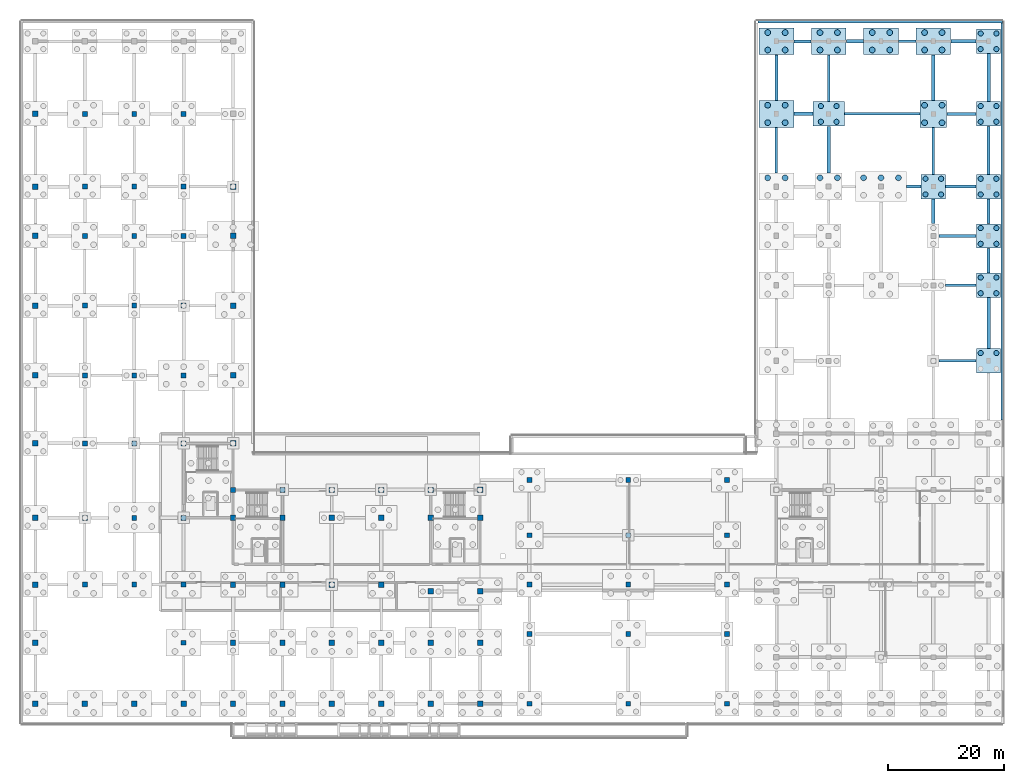
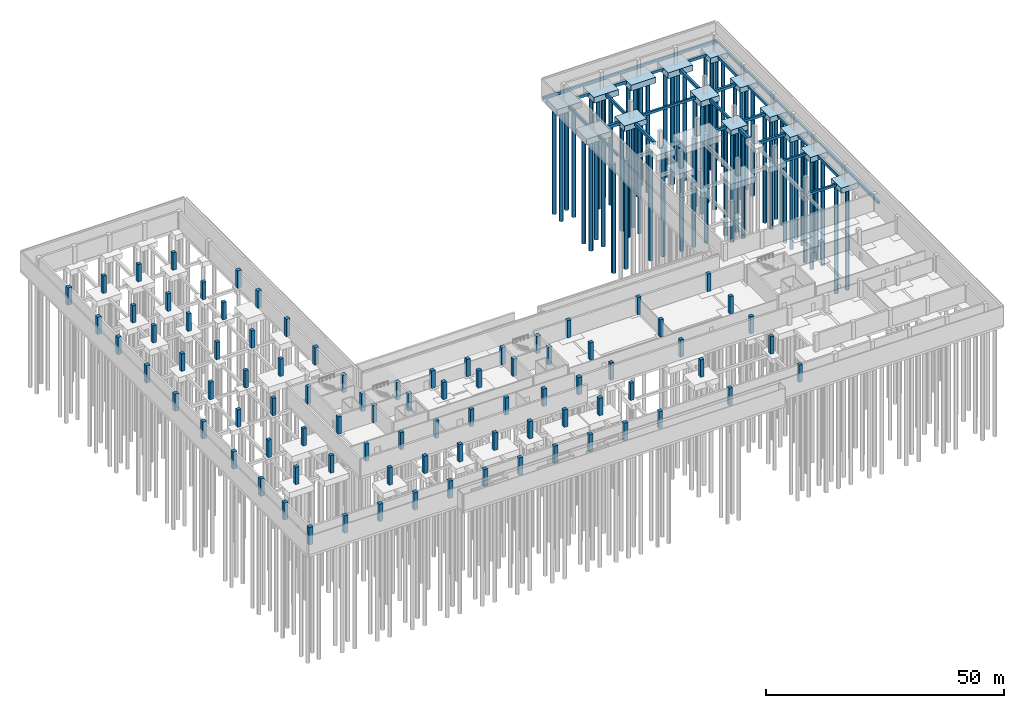
# One storey, part 7 of 25: 88 columns, 61 piles, 40 footings.
"""IFC4 building model written with IfcOpenShell, lengths in metres."""

import ifcopenshell
import ifcopenshell.guid

model = None  # the IFC model being written
_history = None  # IfcOwnerHistory: only IFC2X3 demands one
_inside = {}  # id of a spatial element -> (the spatial element, [elements in it])
_under = {}  # id of a project, library or spatial element -> (it, [spatial elements below it])
_declared = {}  # id of a project -> (the project, [libraries it declares])
_typed = {}  # id of a type object -> (the type object, [elements of that type])
_made_of = {}  # id of a material, layer set ... -> (it, [elements and type objects made of it])


def new_model(schema):
    """Start an empty IFC model of exactly this schema.

    Asked for "IFC4X3", IfcOpenShell would pick the latest addendum, in which some entities
    have other attributes; the version numbers below select the first issue.
    IFC2X3 requires an IfcOwnerHistory on every rooted entity: one is made here for all.
    """
    global model, _history
    if schema == "IFC4X3":
        model = ifcopenshell.file(schema_version=(4, 3, 0, 0))
    else:
        model = ifcopenshell.file(schema=schema)
    _inside.clear()
    _under.clear()
    _declared.clear()
    _typed.clear()
    _made_of.clear()
    _history = None
    if model.schema == "IFC2X3":
        org = make("IfcOrganization", Name="unknown")
        user = make(
            "IfcPersonAndOrganization",
            ThePerson=make("IfcPerson", FamilyName="unknown"),
            TheOrganization=org,
        )
        app = make(
            "IfcApplication",
            ApplicationDeveloper=org,
            Version="unknown",
            ApplicationFullName="unknown",
            ApplicationIdentifier="unknown",
        )
        _history = make(
            "IfcOwnerHistory",
            OwningUser=user,
            OwningApplication=app,
            ChangeAction="ADDED",
            CreationDate=0,
        )
    return model


def make(cls, **values):
    """One entity of the class cls with the attributes given. An attribute that is None is left unset."""
    return model.create_entity(
        cls, **{name: value for name, value in values.items() if value is not None}
    )


def rooted(cls, **values):
    """An entity with a GlobalId (a new one), such as an element, a storey or a relation."""
    return make(cls, GlobalId=ifcopenshell.guid.new(), OwnerHistory=_history, **values)


def si_unit(unit_type, name, prefix=None):
    """IfcSIUnit, for example si_unit("LENGTHUNIT", "METRE", prefix="MILLI")."""
    return make("IfcSIUnit", UnitType=unit_type, Prefix=prefix, Name=name)


def assignment(units):
    """IfcUnitAssignment: the units of a project."""
    return None if units is None else make("IfcUnitAssignment", Units=units)


def point(xyz):
    """IfcCartesianPoint."""
    return None if xyz is None else make("IfcCartesianPoint", Coordinates=xyz)


def direction(xyz):
    """IfcDirection."""
    return None if xyz is None else make("IfcDirection", DirectionRatios=xyz)


def frame(location, z_axis=None, x_axis=None):
    """IfcAxis2Placement3D, a coordinate frame: its origin and axes. An axis left out is left unset."""
    return make(
        "IfcAxis2Placement3D",
        Location=point(location),
        Axis=direction(z_axis),
        RefDirection=direction(x_axis),
    )


def frame_2d(location, x_axis=None):
    """IfcAxis2Placement2D, a coordinate frame in the plane: its origin and x axis."""
    return make(
        "IfcAxis2Placement2D", Location=point(location), RefDirection=direction(x_axis)
    )


def origin():
    """The frame at (0, 0, 0) with its axes left unset."""
    return frame((0.0, 0.0, 0.0))


def origin_2d():
    """The frame at (0, 0) in the plane with its x axis left unset."""
    return frame_2d((0.0, 0.0))


def place(relative_to, where):
    """IfcLocalPlacement: puts the frame where relative to a parent placement (None: the world)."""
    return make(
        "IfcLocalPlacement", PlacementRelTo=relative_to, RelativePlacement=where
    )


def context(
    kind, dimensions, precision=None, world=None, true_north=None, identifier=None
):
    """IfcGeometricRepresentationContext, for example the 3D "Model" context."""
    return make(
        "IfcGeometricRepresentationContext",
        ContextIdentifier=identifier,
        ContextType=kind,
        CoordinateSpaceDimension=dimensions,
        Precision=precision,
        WorldCoordinateSystem=world,
        TrueNorth=true_north,
    )


def subcontext(parent, identifier, kind, view, scale=None):
    """IfcGeometricRepresentationSubContext, for example "Body" below "Model"."""
    return make(
        "IfcGeometricRepresentationSubContext",
        ContextIdentifier=identifier,
        ContextType=kind,
        ParentContext=parent,
        TargetScale=scale,
        TargetView=view,
    )


def project(units=None, contexts=None):
    """IfcProject with its units and contexts."""
    return rooted(
        "IfcProject",
        Name="project",
        RepresentationContexts=contexts,
        UnitsInContext=assignment(units),
    )


def spatial(cls, under=None, at=None, **own):
    """A site, building, storey or space (cls), placed at a placement, below another one or the project."""
    s = rooted(cls, ObjectPlacement=at, **own)
    if under is not None:
        _under.setdefault(under.id(), (under, []))[1].append(s)
    return s


def profile(cls, at=None, kind="AREA", **sizes):
    """A parametric profile (cls). Its sizes go by their IFC names, for example OverallWidth=200.0."""
    return make(cls, ProfileType=kind, Position=at, **sizes)


def rectangle(**sizes):
    """IfcRectangleProfileDef."""
    return profile("IfcRectangleProfileDef", **sizes)


def circle(**sizes):
    """IfcCircleProfileDef."""
    return profile("IfcCircleProfileDef", **sizes)


def extrude(swept, where, along, depth):
    """IfcExtrudedAreaSolid: the profile swept, set in the frame where, extruded along a direction by depth."""
    return make(
        "IfcExtrudedAreaSolid",
        SweptArea=swept,
        Position=where,
        ExtrudedDirection=direction(along),
        Depth=depth,
    )


def shape(context_of_items, identifier, shape_type, items):
    """IfcShapeRepresentation: the items that make up one representation, for example the "Body"."""
    return make(
        "IfcShapeRepresentation",
        ContextOfItems=context_of_items,
        RepresentationIdentifier=identifier,
        RepresentationType=shape_type,
        Items=items,
    )


def material(Name=None, Category=None):
    """IfcMaterial."""
    return make("IfcMaterial", Name=Name, Category=Category)


def material_profile(
    of_material, cross_section, Name=None, Category=None, Priority=None
):
    """IfcMaterialProfile: a cross section and its material."""
    return make(
        "IfcMaterialProfile",
        Name=Name,
        Material=of_material,
        Profile=cross_section,
        Priority=Priority,
        Category=Category,
    )


def profile_set(profiles, Name=None, composite=None):
    """IfcMaterialProfileSet."""
    return make(
        "IfcMaterialProfileSet",
        Name=Name,
        MaterialProfiles=profiles,
        CompositeProfile=composite,
    )


def made_of(thing, what):
    """Note that an element or type object is made of a material, layer set ...; save() writes the relation."""
    if what is not None:
        _made_of.setdefault(what.id(), (what, []))[1].append(thing)
    return thing


def type_object(cls, material=None, **own):
    """A type object (cls), such as IfcWallType, which elements share."""
    return made_of(rooted(cls, **own), material)


def element(
    cls,
    number,
    at=None,
    inside=None,
    cuts=None,
    type_object=None,
    material=None,
    context=None,
    identifier="Body",
    shape_type=None,
    held_by="IfcProductDefinitionShape",
    body=None,
    shapes=None,
    **own,
):
    """One element of the class cls, such as IfcWall. Its Tag is "e" and its number.

    at: its placement. inside: the storey or other place that contains it. cuts: it is an
    opening in that element (IfcRelVoidsElement). A single representation is given by context,
    identifier, shape_type and body (its items); several are given by shapes. held_by: the class
    of the entity that holds the representations. save() writes the other relations.
    """
    e = rooted(cls, Tag="e%d" % number, ObjectPlacement=at, **own)
    if body is not None:
        shapes = [shape(context, identifier, shape_type, body)]
    if shapes is not None:
        e.Representation = make(held_by, Representations=shapes)
    if inside is not None:
        _inside.setdefault(inside.id(), (inside, []))[1].append(e)
    if cuts is not None:
        rooted(
            "IfcRelVoidsElement", RelatingBuildingElement=cuts, RelatedOpeningElement=e
        )
    if type_object is not None:
        _typed.setdefault(type_object.id(), (type_object, []))[1].append(e)
    return made_of(e, material)


def aggregate(whole, parts):
    """IfcRelAggregates: a whole, such as a stair, and the parts it consists of."""
    return rooted("IfcRelAggregates", RelatingObject=whole, RelatedObjects=parts)


def save(model, path):
    """Write the relations noted so far, then the file.

    IfcRelAggregates (storeys below a building ...), IfcRelContainedInSpatialStructure (elements
    in a storey), IfcRelDefinesByType, IfcRelAssociatesMaterial and IfcRelDeclares: one each for
    every whole, place, type object, material and project.
    """
    for whole, parts in _under.values():
        aggregate(whole, parts)
    for where, things in _inside.values():
        rooted(
            "IfcRelContainedInSpatialStructure",
            RelatedElements=things,
            RelatingStructure=where,
        )
    for kind, things in _typed.values():
        rooted("IfcRelDefinesByType", RelatedObjects=things, RelatingType=kind)
    for what, things in _made_of.values():
        rooted("IfcRelAssociatesMaterial", RelatedObjects=things, RelatingMaterial=what)
    for by, libraries in _declared.values():
        rooted("IfcRelDeclares", RelatingContext=by, RelatedDefinitions=libraries)
    model.write(path)


model = new_model("IFC4")

# Units and contexts
model_context = context("Model", 3, precision=1e-05, world=origin(), true_north=direction((0.0, 1.0)))
body_context = subcontext(model_context, "Body", "Model", "MODEL_VIEW")
ifc_project = project(units=[si_unit("LENGTHUNIT", "METRE"), si_unit("AREAUNIT", "SQUARE_METRE"), si_unit("VOLUMEUNIT", "CUBIC_METRE"), si_unit("PLANEANGLEUNIT", "RADIAN"), si_unit("MASSUNIT", "GRAM", prefix="KILO")], contexts=[model_context])

# Site, building, storey
site_placement = place(None, origin())
site = spatial("IfcSite", under=ifc_project, at=site_placement, CompositionType="ELEMENT")
building_placement = place(site_placement, origin())
building = spatial("IfcBuilding", under=site, at=building_placement, Name="Solvikara Media Centre", CompositionType="ELEMENT")
storey_placement = place(building_placement, frame((0.0, 0.0, -4.800048828125)))
storey = spatial("IfcBuildingStorey", under=building, at=storey_placement, Name="B01", CompositionType="ELEMENT", Elevation=-4.800048828125)

# Piles
ifc_material_1 = material(Name="Concrete fc' 35 MPa (C35/45)", Category="concrete")
ifc_material_profile_1 = material_profile(ifc_material_1, circle(Radius=0.449951171875, at=origin_2d()), Name="BORED PILE D900")
ifc_profile_set_1 = profile_set([ifc_material_profile_1], Name="Concrete fc' 35 MPa (C35/45)")
pile_type_1 = type_object("IfcPileType", Name="BP-01", PredefinedType="BORED", material=ifc_profile_set_1)
for number, where, z_axis, x_axis, name in (
    (1, (135.14990234375, 100.14990234375, -1.300048828125), (0.0, 0.0, -1.0), (1.0, 0.0, 0.0), "PL-129-01"),
    (2, (137.85009765625, 100.14990234375, -1.300048828125), (0.0, 0.0, -1.0), (1.0, 0.0, 0.0), "PL-129-02"),
    (3, (135.14990234375, 102.85009765625, -1.300048828125), (0.0, 0.0, -1.0), (1.0, 0.0, 0.0), "PL-129-03"),
    (4, (137.85009765625, 102.85009765625, -1.300048828125), (0.0, 0.0, -1.0), (1.0, 0.0, 0.0), "PL-129-04"),
    (5, (153.14990234375, 87.64990234375, -1.25), (0.0, 0.0, -1.0), (1.0, 0.0, 0.0), "PL-137-01"),
    (6, (155.85009765625, 87.64990234375, -1.25), (0.0, 0.0, -1.0), (1.0, 0.0, 0.0), "PL-137-02"),
    (7, (153.14990234375, 90.35009765625, -1.25), (0.0, 0.0, -1.0), (1.0, 0.0, 0.0), "PL-137-03"),
    (8, (155.85009765625, 90.35009765625, -1.25), (0.0, 0.0, -1.0), (1.0, 0.0, 0.0), "PL-137-04"),
    (9, (162.64990234375, 60.35009765625, -1.25), (0.0, 0.0, -1.0), (1.0, 0.0, 0.0), "PL-140-03"),
    (10, (165.35009765625, 60.35009765625, -1.25), (0.0, 0.0, -1.0), (1.0, 0.0, 0.0), "PL-140-04"),
    (11, (162.64990234375, 70.64990234375, -1.25), (0.0, 0.0, -1.0), (1.0, 0.0, 0.0), "PL-141-01"),
    (12, (165.35009765625, 70.64990234375, -1.25), (0.0, 0.0, -1.0), (1.0, 0.0, 0.0), "PL-141-02"),
    (13, (162.64990234375, 73.35009765625, -1.25), (0.0, 0.0, -1.0), (1.0, 0.0, 0.0), "PL-141-03"),
    (14, (165.35009765625, 73.35009765625, -1.25), (0.0, 0.0, -1.0), (1.0, 0.0, 0.0), "PL-141-04"),
    (15, (162.64990234375, 79.14990234375, -1.25), (0.0, 0.0, -1.0), (1.0, 0.0, 0.0), "PL-142-01"),
    (16, (165.35009765625, 79.14990234375, -1.25), (0.0, 0.0, -1.0), (1.0, 0.0, 0.0), "PL-142-02"),
    (17, (162.64990234375, 81.85009765625, -1.25), (0.0, 0.0, -1.0), (1.0, 0.0, 0.0), "PL-142-03"),
    (18, (165.35009765625, 81.85009765625, -1.25), (0.0, 0.0, -1.0), (1.0, 0.0, 0.0), "PL-142-04"),
    (19, (162.64990234375, 87.64990234375, -1.25), (0.0, 0.0, -1.0), (1.0, 0.0, 0.0), "PL-143-01"),
    (20, (165.35009765625, 87.64990234375, -1.25), (0.0, 0.0, -1.0), (1.0, 0.0, 0.0), "PL-143-02"),
    (21, (162.64990234375, 90.35009765625, -1.25), (0.0, 0.0, -1.0), (1.0, 0.0, 0.0), "PL-143-03"),
    (22, (165.35009765625, 90.35009765625, -1.25), (0.0, 0.0, -1.0), (1.0, 0.0, 0.0), "PL-143-04"),
    (23, (162.64990234375, 100.14990234375, -1.25), (0.0, 0.0, -1.0), (1.0, 0.0, 0.0), "PL-144-01"),
    (24, (165.35009765625, 100.14990234375, -1.25), (0.0, 0.0, -1.0), (1.0, 0.0, 0.0), "PL-144-02"),
    (25, (162.64990234375, 102.85009765625, -1.25), (0.0, 0.0, -1.0), (1.0, 0.0, 0.0), "PL-144-03"),
    (26, (165.35009765625, 102.85009765625, -1.25), (0.0, 0.0, -1.0), (1.0, 0.0, 0.0), "PL-144-04"),
    (27, (162.64990234375, 112.64990234375, -1.25), (0.0, 0.0, -1.0), (1.0, 0.0, 0.0), "PL-145-01"),
    (28, (165.35009765625, 112.64990234375, -1.25), (0.0, 0.0, -1.0), (1.0, 0.0, 0.0), "PL-145-02"),
    (29, (162.64990234375, 115.35009765625, -1.25), (0.0, 0.0, -1.0), (1.0, 0.0, 0.0), "PL-145-03"),
    (30, (165.35009765625, 115.35009765625, -1.25), (0.0, 0.0, -1.0), (1.0, 0.0, 0.0), "PL-145-04"),
):
    element("IfcPile", number, at=place(storey_placement, frame(where, z_axis=z_axis, x_axis=x_axis)), inside=storey, type_object=pile_type_1, Name=name, PredefinedType="BORED", context=body_context, shape_type="SweptSolid", body=[
        extrude(circle(Radius=0.449951171875, at=origin_2d()), origin(), (0.0, 0.0, 1.0), 28.0),
    ])
ifc_material_profile_2 = material_profile(ifc_material_1, circle(Radius=0.5, at=origin_2d()), Name="BORED PILE D1000")
ifc_profile_set_2 = profile_set([ifc_material_profile_2], Name="Concrete fc' 35 MPa (C35/45)")
pile_type_2 = type_object("IfcPileType", Name="BP-02", PredefinedType="BORED", material=ifc_profile_set_2)
for number, where, z_axis, x_axis, name in (
    (31, (126.0, 90.5, -1.39990234375), (0.0, 0.0, -1.0), (1.0, 0.0, 0.0), "PL-122-03"),
    (32, (129.0, 90.5, -1.39990234375), (0.0, 0.0, -1.0), (1.0, 0.0, 0.0), "PL-122-04"),
    (33, (126.0, 100.0, -1.39990234375), (0.0, 0.0, -1.0), (1.0, 0.0, 0.0), "PL-123-01"),
    (34, (129.0, 100.0, -1.39990234375), (0.0, 0.0, -1.0), (1.0, 0.0, 0.0), "PL-123-02"),
    (35, (126.0, 103.0, -1.39990234375), (0.0, 0.0, -1.0), (1.0, 0.0, 0.0), "PL-123-03"),
    (36, (129.0, 103.0, -1.39990234375), (0.0, 0.0, -1.0), (1.0, 0.0, 0.0), "PL-123-04"),
    (37, (126.0, 112.5, -1.39990234375), (0.0, 0.0, -1.0), (1.0, 0.0, 0.0), "PL-124-01"),
    (38, (129.0, 112.5, -1.39990234375), (0.0, 0.0, -1.0), (1.0, 0.0, 0.0), "PL-124-02"),
    (39, (126.0, 115.5, -1.39990234375), (0.0, 0.0, -1.0), (1.0, 0.0, 0.0), "PL-124-03"),
    (40, (129.0, 115.5, -1.39990234375), (0.0, 0.0, -1.0), (1.0, 0.0, 0.0), "PL-124-04"),
    (41, (135.0, 90.5, -1.349853515625), (0.0, 0.0, -1.0), (1.0, 0.0, 0.0), "PL-128-03"),
    (42, (138.0, 90.5, -1.349853515625), (0.0, 0.0, -1.0), (1.0, 0.0, 0.0), "PL-128-04"),
    (43, (135.0, 112.5, -1.39990234375), (0.0, 0.0, -1.0), (1.0, 0.0, 0.0), "PL-130-01"),
    (44, (138.0, 112.5, -1.39990234375), (0.0, 0.0, -1.0), (1.0, 0.0, 0.0), "PL-130-02"),
    (45, (135.0, 115.5, -1.39990234375), (0.0, 0.0, -1.0), (1.0, 0.0, 0.0), "PL-130-03"),
    (46, (138.0, 115.5, -1.39990234375), (0.0, 0.0, -1.0), (1.0, 0.0, 0.0), "PL-130-04"),
    (47, (142.5, 90.5, -1.5), (0.0, 0.0, -1.0), (1.0, 0.0, 0.0), "PL-132-04"),
    (48, (145.5, 90.5, -1.5), (0.0, 0.0, -1.0), (1.0, 0.0, 0.0), "PL-132-05"),
    (49, (148.5, 90.5, -1.5), (0.0, 0.0, -1.0), (1.0, 0.0, 0.0), "PL-132-06"),
    (50, (144.0, 112.5, -1.39990234375), (0.0, 0.0, -1.0), (1.0, 0.0, 0.0), "PL-133-01"),
    (51, (147.0, 112.5, -1.39990234375), (0.0, 0.0, -1.0), (1.0, 0.0, 0.0), "PL-133-02"),
    (52, (144.0, 115.5, -1.39990234375), (0.0, 0.0, -1.0), (1.0, 0.0, 0.0), "PL-133-03"),
    (53, (147.0, 115.5, -1.39990234375), (0.0, 0.0, -1.0), (1.0, 0.0, 0.0), "PL-133-04"),
    (54, (153.0, 100.0, -1.349853515625), (0.0, 0.0, -1.0), (1.0, 0.0, 0.0), "PL-138-01"),
    (55, (156.0, 100.0, -1.349853515625), (0.0, 0.0, -1.0), (1.0, 0.0, 0.0), "PL-138-02"),
    (56, (153.0, 103.0, -1.349853515625), (0.0, 0.0, -1.0), (1.0, 0.0, 0.0), "PL-138-03"),
    (57, (156.0, 103.0, -1.349853515625), (0.0, 0.0, -1.0), (1.0, 0.0, 0.0), "PL-138-04"),
    (58, (153.0, 112.5, -1.39990234375), (0.0, 0.0, -1.0), (1.0, 0.0, 0.0), "PL-139-01"),
    (59, (156.0, 112.5, -1.39990234375), (0.0, 0.0, -1.0), (1.0, 0.0, 0.0), "PL-139-02"),
    (60, (153.0, 115.5, -1.39990234375), (0.0, 0.0, -1.0), (1.0, 0.0, 0.0), "PL-139-03"),
    (61, (156.0, 115.5, -1.39990234375), (0.0, 0.0, -1.0), (1.0, 0.0, 0.0), "PL-139-04"),
):
    element("IfcPile", number, at=place(storey_placement, frame(where, z_axis=z_axis, x_axis=x_axis)), inside=storey, type_object=pile_type_2, Name=name, PredefinedType="BORED", context=body_context, shape_type="SweptSolid", body=[
        extrude(circle(Radius=0.5, at=origin_2d()), origin(), (0.0, 0.0, 1.0), 28.0),
    ])

# Footings
footing_type_1 = type_object("IfcFootingType", Name="FT-04", PredefinedType="PILE_CAP", material=ifc_material_1)
for number, where, z_axis, x_axis, name in (
    (62, (154.5, 89.0, -1.35009765625), (0.0, 0.0, 1.0), (1.0, 0.0, 0.0), "PC-137"),
    (63, (164.0, 59.0, -1.35009765625), (0.0, 0.0, 1.0), (1.0, 0.0, 0.0), "PC-140"),
    (64, (164.0, 72.0, -1.35009765625), (0.0, 0.0, 1.0), (1.0, 0.0, 0.0), "PC-141"),
    (65, (164.0, 80.5, -1.35009765625), (0.0, 0.0, 1.0), (1.0, 0.0, 0.0), "PC-142"),
    (66, (164.0, 89.0, -1.35009765625), (0.0, 0.0, 1.0), (1.0, 0.0, 0.0), "PC-143"),
    (67, (164.0, 101.5, -1.35009765625), (0.0, 0.0, 1.0), (1.0, 0.0, 0.0), "PC-144"),
    (68, (164.0, 114.0, -1.35009765625), (0.0, 0.0, 1.0), (1.0, 0.0, 0.0), "PC-145"),
):
    element("IfcFooting", number, at=place(storey_placement, frame(where, z_axis=z_axis, x_axis=x_axis)), inside=storey, type_object=footing_type_1, Name=name, PredefinedType="PILE_CAP", context=body_context, shape_type="SweptSolid", body=[
        extrude(rectangle(XDim=4.199951171875, YDim=4.199951171875, at=origin_2d()), origin(), (0.0, 0.0, 1.0), 1.35009765625),
    ])
footing_type_2 = type_object("IfcFootingType", Name="FT-05", PredefinedType="PILE_CAP", material=ifc_material_1)
footing_1_placement = place(storey_placement, frame((154.5, 101.5, -1.44970703125), z_axis=(0.0, 0.0, 1.0), x_axis=(1.0, 0.0, 0.0)))
element("IfcFooting", 69, at=footing_1_placement, inside=storey, type_object=footing_type_2, Name="PC-138", PredefinedType="PILE_CAP", context=body_context, shape_type="SweptSolid", body=[
    extrude(rectangle(XDim=4.60009765625, YDim=4.60009765625, at=origin_2d()), origin(), (0.0, 0.0, 1.0), 1.449951171875),
])
footing_type_3 = type_object("IfcFootingType", Name="FT-08", PredefinedType="PILE_CAP", material=ifc_material_1)
footing_2_placement = place(storey_placement, frame((136.5, 101.5, -1.39990234375), z_axis=(0.0, 0.0, 1.0), x_axis=(1.0, 0.0, 0.0)))
element("IfcFooting", 70, at=footing_2_placement, inside=storey, type_object=footing_type_3, Name="PC-129", PredefinedType="PILE_CAP", context=body_context, shape_type="SweptSolid", body=[
    extrude(rectangle(XDim=5.39990234375, YDim=4.199951171875, at=origin_2d()), origin(), (0.0, 0.0, 1.0), 1.39990234375),
])
footing_type_4 = type_object("IfcFootingType", Name="FT-09", PredefinedType="PILE_CAP", material=ifc_material_1)
for number, where, z_axis, x_axis, name in (
    (71, (127.5, 101.5, -1.5), (0.0, 0.0, 1.0), (1.0, 0.0, 0.0), "PC-123"),
    (72, (127.5, 114.0, -1.5), (0.0, 0.0, 1.0), (1.0, 0.0, 0.0), "PC-124"),
    (73, (136.5, 114.0, -1.5), (0.0, 0.0, 1.0), (1.0, 0.0, 0.0), "PC-130"),
    (74, (145.5, 114.0, -1.5), (0.0, 0.0, 1.0), (1.0, 0.0, 0.0), "PC-133"),
    (75, (154.5, 114.0, -1.5), (0.0, 0.0, 1.0), (1.0, 0.0, 0.0), "PC-139"),
):
    element("IfcFooting", number, at=place(storey_placement, frame(where, z_axis=z_axis, x_axis=x_axis)), inside=storey, type_object=footing_type_4, Name=name, PredefinedType="PILE_CAP", context=body_context, shape_type="SweptSolid", body=[
        extrude(rectangle(XDim=6.0, YDim=4.60009765625, at=origin_2d()), origin(), (0.0, 0.0, 1.0), 1.5),
    ])
ifc_material_profile_3 = material_profile(ifc_material_1, rectangle(XDim=0.5, YDim=0.699951171875, at=origin_2d()), Name="RC 500x700")
ifc_profile_set_3 = profile_set([ifc_material_profile_3], Name="Concrete fc' 35 MPa (C35/45)")
footing_type_5 = type_object("IfcFootingType", Name="FT-11", PredefinedType="FOOTING_BEAM", material=ifc_profile_set_3)
footing_3_placement = place(storey_placement, frame((155.52001953125, 80.5, -0.349853515625), z_axis=(1.0, 0.0, 0.0), x_axis=(0.0, 1.0, 0.0)))
element("IfcFooting", 76, at=footing_3_placement, inside=storey, type_object=footing_type_5, Name="FTB-085", PredefinedType="FOOTING_BEAM", context=body_context, shape_type="SweptSolid", body=[
    extrude(rectangle(XDim=0.5, YDim=0.699951171875, at=origin_2d()), origin(), (0.0, 0.0, 1.0), 6.35986328125),
])
footing_4_placement = place(storey_placement, frame((156.6201171875, 89.0, -0.349853515625), z_axis=(1.0, 0.0, 0.0), x_axis=(0.0, 1.0, 0.0)))
element("IfcFooting", 77, at=footing_4_placement, inside=storey, type_object=footing_type_5, Name="FTB-093", PredefinedType="FOOTING_BEAM", context=body_context, shape_type="SweptSolid", body=[
    extrude(rectangle(XDim=0.5, YDim=0.699951171875, at=origin_2d()), origin(), (0.0, 0.0, 1.0), 5.259765625),
])
footing_5_placement = place(storey_placement, frame((130.52001953125, 114.0, -0.349853515625), z_axis=(1.0, 0.0, 0.0), x_axis=(0.0, 1.0, 0.0)))
element("IfcFooting", 78, at=footing_5_placement, inside=storey, type_object=footing_type_5, Name="FTB-105", PredefinedType="FOOTING_BEAM", context=body_context, shape_type="SweptSolid", body=[
    extrude(rectangle(XDim=0.5, YDim=0.699951171875, at=origin_2d()), origin(), (0.0, 0.0, 1.0), 2.9599609375),
])
footing_6_placement = place(storey_placement, frame((136.5, 103.6201171875, -0.349853515625), z_axis=(0.0, 1.0, 0.0), x_axis=(-1.0, 0.0, 0.0)))
element("IfcFooting", 79, at=footing_6_placement, inside=storey, type_object=footing_type_5, Name="FTB-197", PredefinedType="FOOTING_BEAM", context=body_context, shape_type="SweptSolid", body=[
    extrude(rectangle(XDim=0.5, YDim=0.699951171875, at=origin_2d()), origin(), (0.0, 0.0, 1.0), 8.059814453125),
])
footing_7_placement = place(storey_placement, frame((164.0, 91.1201171875, -0.349853515625), z_axis=(0.0, 1.0, 0.0), x_axis=(-1.0, 0.0, 0.0)))
element("IfcFooting", 80, at=footing_7_placement, inside=storey, type_object=footing_type_5, Name="FTB-221", PredefinedType="FOOTING_BEAM", context=body_context, shape_type="SweptSolid", body=[
    extrude(rectangle(XDim=0.5, YDim=0.699951171875, at=origin_2d()), origin(), (0.0, 0.0, 1.0), 8.259765625),
])
ifc_material_profile_4 = material_profile(ifc_material_1, rectangle(XDim=0.60009765625, YDim=0.800048828125, at=origin_2d()), Name="RC 600x800")
ifc_profile_set_4 = profile_set([ifc_material_profile_4], Name="Concrete fc' 35 MPa (C35/45)")
footing_type_6 = type_object("IfcFootingType", Name="FT-12", PredefinedType="FOOTING_BEAM", material=ifc_profile_set_4)
footing_8_placement = place(storey_placement, frame((130.52001953125, 101.5, -0.39990234375), z_axis=(1.0, 0.0, 0.0), x_axis=(0.0, 1.0, 0.0)))
element("IfcFooting", 81, at=footing_8_placement, inside=storey, type_object=footing_type_6, Name="FTB-098", PredefinedType="FOOTING_BEAM", context=body_context, shape_type="SweptSolid", body=[
    extrude(rectangle(XDim=0.60009765625, YDim=0.800048828125, at=origin_2d()), origin(), (0.0, 0.0, 1.0), 3.260009765625),
])
footing_9_placement = place(storey_placement, frame((139.52001953125, 114.0, -0.39990234375), z_axis=(1.0, 0.0, 0.0), x_axis=(0.0, 1.0, 0.0)))
element("IfcFooting", 82, at=footing_9_placement, inside=storey, type_object=footing_type_6, Name="FTB-106", PredefinedType="FOOTING_BEAM", context=body_context, shape_type="SweptSolid", body=[
    extrude(rectangle(XDim=0.60009765625, YDim=0.800048828125, at=origin_2d()), origin(), (0.0, 0.0, 1.0), 2.9599609375),
])
footing_10_placement = place(storey_placement, frame((154.5, 82.6201171875, -0.39990234375), z_axis=(0.0, 1.0, 0.0), x_axis=(-1.0, 0.0, 0.0)))
element("IfcFooting", 83, at=footing_10_placement, inside=storey, type_object=footing_type_6, Name="FTB-210", PredefinedType="FOOTING_BEAM", context=body_context, shape_type="SweptSolid", body=[
    extrude(rectangle(XDim=0.60009765625, YDim=0.800048828125, at=origin_2d()), origin(), (0.0, 0.0, 1.0), 4.259765625),
])
footing_11_placement = place(storey_placement, frame((164.0, 61.1201171875, -0.39990234375), z_axis=(0.0, 1.0, 0.0), x_axis=(-1.0, 0.0, 0.0)))
element("IfcFooting", 84, at=footing_11_placement, inside=storey, type_object=footing_type_6, Name="FTB-218", PredefinedType="FOOTING_BEAM", context=body_context, shape_type="SweptSolid", body=[
    extrude(rectangle(XDim=0.60009765625, YDim=0.800048828125, at=origin_2d()), origin(), (0.0, 0.0, 1.0), 8.759765625),
])
footing_12_placement = place(storey_placement, frame((164.0, 103.6201171875, -0.39990234375), z_axis=(0.0, 1.0, 0.0), x_axis=(-1.0, 0.0, 0.0)))
element("IfcFooting", 85, at=footing_12_placement, inside=storey, type_object=footing_type_6, Name="FTB-222", PredefinedType="FOOTING_BEAM", context=body_context, shape_type="SweptSolid", body=[
    extrude(rectangle(XDim=0.60009765625, YDim=0.800048828125, at=origin_2d()), origin(), (0.0, 0.0, 1.0), 8.259765625),
])
ifc_material_profile_5 = material_profile(ifc_material_1, rectangle(XDim=0.449951171875, YDim=0.64990234375, at=origin_2d()), Name="RC 450x650")
ifc_profile_set_5 = profile_set([ifc_material_profile_5], Name="Concrete fc' 35 MPa (C35/45)")
footing_type_7 = type_object("IfcFootingType", Name="FT-13", PredefinedType="FOOTING_BEAM", material=ifc_profile_set_5)
footing_13_placement = place(storey_placement, frame((155.52001953125, 59.0, -0.324951171875), z_axis=(1.0, 0.0, 0.0), x_axis=(0.0, 1.0, 0.0)))
element("IfcFooting", 86, at=footing_13_placement, inside=storey, type_object=footing_type_7, Name="FTB-071", PredefinedType="FOOTING_BEAM", context=body_context, shape_type="SweptSolid", body=[
    extrude(rectangle(XDim=0.449951171875, YDim=0.64990234375, at=origin_2d()), origin(), (0.0, 0.0, 1.0), 6.35986328125),
])
footing_14_placement = place(storey_placement, frame((156.6201171875, 72.0, -0.324951171875), z_axis=(1.0, 0.0, 0.0), x_axis=(0.0, 1.0, 0.0)))
element("IfcFooting", 87, at=footing_14_placement, inside=storey, type_object=footing_type_7, Name="FTB-079", PredefinedType="FOOTING_BEAM", context=body_context, shape_type="SweptSolid", body=[
    extrude(rectangle(XDim=0.449951171875, YDim=0.64990234375, at=origin_2d()), origin(), (0.0, 0.0, 1.0), 5.259765625),
])
footing_15_placement = place(storey_placement, frame((139.219970703125, 101.5, -0.324951171875), z_axis=(1.0, 0.0, 0.0), x_axis=(0.0, 1.0, 0.0)))
element("IfcFooting", 88, at=footing_15_placement, inside=storey, type_object=footing_type_7, Name="FTB-099", PredefinedType="FOOTING_BEAM", context=body_context, shape_type="SweptSolid", body=[
    extrude(rectangle(XDim=0.449951171875, YDim=0.64990234375, at=origin_2d()), origin(), (0.0, 0.0, 1.0), 12.9599609375),
])
footing_16_placement = place(storey_placement, frame((148.52001953125, 114.0, -0.324951171875), z_axis=(1.0, 0.0, 0.0), x_axis=(0.0, 1.0, 0.0)))
element("IfcFooting", 89, at=footing_16_placement, inside=storey, type_object=footing_type_7, Name="FTB-107", PredefinedType="FOOTING_BEAM", context=body_context, shape_type="SweptSolid", body=[
    extrude(rectangle(XDim=0.449951171875, YDim=0.64990234375, at=origin_2d()), origin(), (0.0, 0.0, 1.0), 2.9599609375),
])
footing_17_placement = place(storey_placement, frame((127.5, 91.320068359375, -0.324951171875), z_axis=(0.0, 1.0, 0.0), x_axis=(-1.0, 0.0, 0.0)))
element("IfcFooting", 90, at=footing_17_placement, inside=storey, type_object=footing_type_7, Name="FTB-187", PredefinedType="FOOTING_BEAM", context=body_context, shape_type="SweptSolid", body=[
    extrude(rectangle(XDim=0.449951171875, YDim=0.64990234375, at=origin_2d()), origin(), (0.0, 0.0, 1.0), 7.85986328125),
])
footing_18_placement = place(storey_placement, frame((154.5, 91.1201171875, -0.324951171875), z_axis=(0.0, 1.0, 0.0), x_axis=(-1.0, 0.0, 0.0)))
element("IfcFooting", 91, at=footing_18_placement, inside=storey, type_object=footing_type_7, Name="FTB-211", PredefinedType="FOOTING_BEAM", context=body_context, shape_type="SweptSolid", body=[
    extrude(rectangle(XDim=0.449951171875, YDim=0.64990234375, at=origin_2d()), origin(), (0.0, 0.0, 1.0), 8.059814453125),
])
footing_19_placement = place(storey_placement, frame((164.0, 74.1201171875, -0.324951171875), z_axis=(0.0, 1.0, 0.0), x_axis=(-1.0, 0.0, 0.0)))
element("IfcFooting", 92, at=footing_19_placement, inside=storey, type_object=footing_type_7, Name="FTB-219", PredefinedType="FOOTING_BEAM", context=body_context, shape_type="SweptSolid", body=[
    extrude(rectangle(XDim=0.449951171875, YDim=0.64990234375, at=origin_2d()), origin(), (0.0, 0.0, 1.0), 4.259765625),
])
footing_20_placement = place(storey_placement, frame((124.35009765625, 117.3798828125, -0.324951171875), z_axis=(1.0, 0.0, 0.0), x_axis=(0.0, 1.0, 0.0)))
element("IfcFooting", 93, at=footing_20_placement, inside=storey, type_object=footing_type_7, Name="FTB-240", PredefinedType="FOOTING_BEAM", context=body_context, shape_type="SweptSolid", body=[
    extrude(rectangle(XDim=0.449951171875, YDim=0.64990234375, at=origin_2d()), origin(), (0.0, 0.0, 1.0), 42.02978515625),
])
footing_21_placement = place(storey_placement, frame((166.3798828125, 48.800048828125, -0.324951171875), z_axis=(0.0, 1.0, 0.0), x_axis=(-1.0, 0.0, 0.0)))
element("IfcFooting", 94, at=footing_21_placement, inside=storey, type_object=footing_type_7, Name="FTB-246", PredefinedType="FOOTING_BEAM", context=body_context, shape_type="SweptSolid", body=[
    extrude(rectangle(XDim=0.449951171875, YDim=0.64990234375, at=origin_2d()), origin(), (0.0, 0.0, 1.0), 68.349853515625),
])
ifc_material_profile_6 = material_profile(ifc_material_1, rectangle(XDim=0.550048828125, YDim=0.75, at=origin_2d()), Name="RC 550x750")
ifc_profile_set_6 = profile_set([ifc_material_profile_6], Name="Concrete fc' 35 MPa (C35/45)")
footing_type_8 = type_object("IfcFootingType", Name="FT-14", PredefinedType="FOOTING_BEAM", material=ifc_profile_set_6)
footing_22_placement = place(storey_placement, frame((149.919921875, 89.0, -0.375), z_axis=(1.0, 0.0, 0.0), x_axis=(0.0, 1.0, 0.0)))
element("IfcFooting", 95, at=footing_22_placement, inside=storey, type_object=footing_type_8, Name="FTB-092", PredefinedType="FOOTING_BEAM", context=body_context, shape_type="SweptSolid", body=[
    extrude(rectangle(XDim=0.550048828125, YDim=0.75, at=origin_2d()), origin(), (0.0, 0.0, 1.0), 2.4599609375),
])
footing_23_placement = place(storey_placement, frame((156.820068359375, 101.5, -0.375), z_axis=(1.0, 0.0, 0.0), x_axis=(0.0, 1.0, 0.0)))
element("IfcFooting", 96, at=footing_23_placement, inside=storey, type_object=footing_type_8, Name="FTB-100", PredefinedType="FOOTING_BEAM", context=body_context, shape_type="SweptSolid", body=[
    extrude(rectangle(XDim=0.550048828125, YDim=0.75, at=origin_2d()), origin(), (0.0, 0.0, 1.0), 5.059814453125),
])
footing_24_placement = place(storey_placement, frame((157.52001953125, 114.0, -0.375), z_axis=(1.0, 0.0, 0.0), x_axis=(0.0, 1.0, 0.0)))
element("IfcFooting", 97, at=footing_24_placement, inside=storey, type_object=footing_type_8, Name="FTB-108", PredefinedType="FOOTING_BEAM", context=body_context, shape_type="SweptSolid", body=[
    extrude(rectangle(XDim=0.550048828125, YDim=0.75, at=origin_2d()), origin(), (0.0, 0.0, 1.0), 4.35986328125),
])
footing_25_placement = place(storey_placement, frame((127.5, 103.820068359375, -0.375), z_axis=(0.0, 1.0, 0.0), x_axis=(-1.0, 0.0, 0.0)))
element("IfcFooting", 98, at=footing_25_placement, inside=storey, type_object=footing_type_8, Name="FTB-188", PredefinedType="FOOTING_BEAM", context=body_context, shape_type="SweptSolid", body=[
    extrude(rectangle(XDim=0.550048828125, YDim=0.75, at=origin_2d()), origin(), (0.0, 0.0, 1.0), 7.85986328125),
])
footing_26_placement = place(storey_placement, frame((136.5, 91.320068359375, -0.375), z_axis=(0.0, 1.0, 0.0), x_axis=(-1.0, 0.0, 0.0)))
element("IfcFooting", 99, at=footing_26_placement, inside=storey, type_object=footing_type_8, Name="FTB-196", PredefinedType="FOOTING_BEAM", context=body_context, shape_type="SweptSolid", body=[
    extrude(rectangle(XDim=0.550048828125, YDim=0.75, at=origin_2d()), origin(), (0.0, 0.0, 1.0), 8.059814453125),
])
footing_27_placement = place(storey_placement, frame((154.5, 103.820068359375, -0.375), z_axis=(0.0, 1.0, 0.0), x_axis=(-1.0, 0.0, 0.0)))
element("IfcFooting", 100, at=footing_27_placement, inside=storey, type_object=footing_type_8, Name="FTB-212", PredefinedType="FOOTING_BEAM", context=body_context, shape_type="SweptSolid", body=[
    extrude(rectangle(XDim=0.550048828125, YDim=0.75, at=origin_2d()), origin(), (0.0, 0.0, 1.0), 7.85986328125),
])
footing_28_placement = place(storey_placement, frame((164.0, 82.6201171875, -0.375), z_axis=(0.0, 1.0, 0.0), x_axis=(-1.0, 0.0, 0.0)))
element("IfcFooting", 101, at=footing_28_placement, inside=storey, type_object=footing_type_8, Name="FTB-220", PredefinedType="FOOTING_BEAM", context=body_context, shape_type="SweptSolid", body=[
    extrude(rectangle(XDim=0.550048828125, YDim=0.75, at=origin_2d()), origin(), (0.0, 0.0, 1.0), 4.259765625),
])

# Columns
ifc_material_2 = material(Name="Concrete fc' 45 MPa (C45/55)", Category="concrete")
ifc_material_profile_7 = material_profile(ifc_material_2, rectangle(XDim=0.85009765625, YDim=0.85009765625, at=origin_2d()), Name="RC 850x850")
ifc_profile_set_7 = profile_set([ifc_material_profile_7], Name="Concrete fc' 45 MPa (C45/55)")
column_type_1 = type_object("IfcColumnType", Name="CL-06", PredefinedType="COLUMN", material=ifc_profile_set_7)
for number, where, z_axis, x_axis, name in (
    (102, (8.5, 20.5, 0.0), (0.0, 0.0, 1.0), (1.0, 0.0, 0.0), "C-B01-0085-0205"),
    (103, (8.5, 32.0, 0.0), (0.0, 0.0, 1.0), (1.0, 0.0, 0.0), "C-B01-0085-0320"),
    (104, (8.5, 44.800048828125, 0.0), (0.0, 0.0, 1.0), (1.0, 0.0, 0.0), "C-B01-0085-0448"),
    (105, (8.5, 56.5, 0.0), (0.0, 0.0, 1.0), (1.0, 0.0, 0.0), "C-B01-0085-0565"),
    (106, (8.5, 68.5, 0.0), (0.0, 0.0, 1.0), (1.0, 0.0, 0.0), "C-B01-0085-0685"),
    (107, (8.5, 80.5, 0.0), (0.0, 0.0, 1.0), (1.0, 0.0, 0.0), "C-B01-0085-0805"),
    (108, (8.5, 89.0, 0.0), (0.0, 0.0, 1.0), (1.0, 0.0, 0.0), "C-B01-0085-0890"),
    (109, (8.5, 101.5, 0.0), (0.0, 0.0, 1.0), (1.0, 0.0, 0.0), "C-B01-0085-1015"),
    (110, (17.0, 20.5, 0.0), (0.0, 0.0, 1.0), (1.0, 0.0, 0.0), "C-B01-0170-0205"),
    (111, (17.0, 32.0, 0.0), (0.0, 0.0, 1.0), (1.0, 0.0, 0.0), "C-B01-0170-0320"),
    (112, (17.0, 44.800048828125, 0.0), (0.0, 0.0, 1.0), (1.0, 0.0, 0.0), "C-B01-0170-0448"),
    (113, (17.0, 56.5, 0.0), (0.0, 0.0, 1.0), (1.0, 0.0, 0.0), "C-B01-0170-0565"),
    (114, (17.0, 68.5, 0.0), (0.0, 0.0, 1.0), (1.0, 0.0, 0.0), "C-B01-0170-0685"),
    (115, (17.0, 80.5, 0.0), (0.0, 0.0, 1.0), (1.0, 0.0, 0.0), "C-B01-0170-0805"),
    (116, (17.0, 89.0, 0.0), (0.0, 0.0, 1.0), (1.0, 0.0, 0.0), "C-B01-0170-0890"),
    (117, (17.0, 101.5, 0.0), (0.0, 0.0, 1.0), (1.0, 0.0, 0.0), "C-B01-0170-1015"),
    (118, (25.5, 10.5, 0.0), (0.0, 0.0, 1.0), (1.0, 0.0, 0.0), "C-B01-0255-0105"),
    (119, (25.5, 20.5, 0.0), (0.0, 0.0, 1.0), (1.0, 0.0, 0.0), "C-B01-0255-0205"),
    (120, (25.5, 32.0, 0.0), (0.0, 0.0, 1.0), (1.0, 0.0, 0.0), "C-B01-0255-0320"),
    (121, (25.5, 44.800048828125, 0.0), (0.0, 0.0, 1.0), (1.0, 0.0, 0.0), "C-B01-0255-0448"),
    (122, (25.5, 56.5, 0.0), (0.0, 0.0, 1.0), (1.0, 0.0, 0.0), "C-B01-0255-0565"),
    (123, (25.5, 68.5, 0.0), (0.0, 0.0, 1.0), (1.0, 0.0, 0.0), "C-B01-0255-0685"),
    (124, (25.5, 80.5, 0.0), (0.0, 0.0, 1.0), (1.0, 0.0, 0.0), "C-B01-0255-0805"),
    (125, (25.5, 89.0, 0.0), (0.0, 0.0, 1.0), (1.0, 0.0, 0.0), "C-B01-0255-0890"),
    (126, (25.5, 101.5, 0.0), (0.0, 0.0, 1.0), (1.0, 0.0, 0.0), "C-B01-0255-1015"),
    (127, (85.0, 0.0, 0.0), (0.0, 0.0, 1.0), (1.0, 0.0, 0.0), "C-B01-0850-0000"),
    (128, (85.0, 12.0, 0.0), (0.0, 0.0, 1.0), (1.0, 0.0, 0.0), "C-B01-0850-0120"),
    (129, (85.0, 20.5, 0.0), (0.0, 0.0, 1.0), (1.0, 0.0, 0.0), "C-B01-0850-0205"),
    (130, (85.0, 29.0, 0.0), (0.0, 0.0, 1.0), (1.0, 0.0, 0.0), "C-B01-0850-0290"),
    (131, (85.0, 38.5, 0.0), (0.0, 0.0, 1.0), (1.0, 0.0, 0.0), "C-B01-0850-0385"),
    (132, (102.0, 0.0, 0.0), (0.0, 0.0, 1.0), (1.0, 0.0, 0.0), "C-B01-1020-0000"),
    (133, (102.0, 12.0, 0.0), (0.0, 0.0, 1.0), (1.0, 0.0, 0.0), "C-B01-1020-0120"),
    (134, (102.0, 20.5, 0.0), (0.0, 0.0, 1.0), (1.0, 0.0, 0.0), "C-B01-1020-0205"),
    (135, (102.0, 29.0, 0.0), (0.0, 0.0, 1.0), (1.0, 0.0, 0.0), "C-B01-1020-0290"),
    (136, (102.0, 38.5, 0.0), (0.0, 0.0, 1.0), (1.0, 0.0, 0.0), "C-B01-1020-0385"),
    (137, (119.0, 0.0, 0.0), (0.0, 0.0, 1.0), (1.0, 0.0, 0.0), "C-B01-1190-0000"),
    (138, (119.0, 12.0, 0.0), (0.0, 0.0, 1.0), (1.0, 0.0, 0.0), "C-B01-1190-0120"),
    (139, (119.0, 20.5, 0.0), (0.0, 0.0, 1.0), (1.0, 0.0, 0.0), "C-B01-1190-0205"),
    (140, (119.0, 29.0, 0.0), (0.0, 0.0, 1.0), (1.0, 0.0, 0.0), "C-B01-1190-0290"),
    (141, (119.0, 38.5, 0.0), (0.0, 0.0, 1.0), (1.0, 0.0, 0.0), "C-B01-1190-0385"),
):
    element("IfcColumn", number, at=place(storey_placement, frame(where, z_axis=z_axis, x_axis=x_axis)), inside=storey, type_object=column_type_1, Name=name, PredefinedType="COLUMN", context=body_context, shape_type="SweptSolid", body=[
        extrude(rectangle(XDim=0.85009765625, YDim=0.85009765625, at=origin_2d()), origin(), (0.0, 0.0, 1.0), 4.4599609375),
    ])
ifc_material_profile_8 = material_profile(ifc_material_2, rectangle(XDim=0.89990234375, YDim=0.89990234375, at=origin_2d()), Name="RC 900x900")
ifc_profile_set_8 = profile_set([ifc_material_profile_8], Name="Concrete fc' 45 MPa (C45/55)")
column_type_2 = type_object("IfcColumnType", Name="CL-07", PredefinedType="COLUMN", material=ifc_profile_set_8)
for number, where, z_axis, x_axis, name in (
    (142, (34.0, 0.0, 0.0), (0.0, 0.0, 1.0), (1.0, 0.0, 0.0), "C-B01-0340-0000"),
    (143, (34.0, 10.5, 0.0), (0.0, 0.0, 1.0), (1.0, 0.0, 0.0), "C-B01-0340-0105"),
    (144, (34.0, 20.5, 0.0), (0.0, 0.0, 1.0), (1.0, 0.0, 0.0), "C-B01-0340-0205"),
    (145, (34.0, 32.0, 0.0), (0.0, 0.0, 1.0), (1.0, 0.0, 0.0), "C-B01-0340-0320"),
    (146, (34.0, 36.800048828125, 0.0), (0.0, 0.0, 1.0), (1.0, 0.0, 0.0), "C-B01-0340-0368"),
    (147, (42.5, 0.0, 0.0), (0.0, 0.0, 1.0), (1.0, 0.0, 0.0), "C-B01-0425-0000"),
    (148, (42.5, 10.5, 0.0), (0.0, 0.0, 1.0), (1.0, 0.0, 0.0), "C-B01-0425-0105"),
    (149, (42.5, 20.5, 0.0), (0.0, 0.0, 1.0), (1.0, 0.0, 0.0), "C-B01-0425-0205"),
    (150, (42.5, 32.0, 0.0), (0.0, 0.0, 1.0), (1.0, 0.0, 0.0), "C-B01-0425-0320"),
    (151, (42.5, 36.800048828125, 0.0), (0.0, 0.0, 1.0), (1.0, 0.0, 0.0), "C-B01-0425-0368"),
    (152, (51.0, 0.0, 0.0), (0.0, 0.0, 1.0), (1.0, 0.0, 0.0), "C-B01-0510-0000"),
    (153, (51.0, 10.5, 0.0), (0.0, 0.0, 1.0), (1.0, 0.0, 0.0), "C-B01-0510-0105"),
    (154, (51.0, 20.5, 0.0), (0.0, 0.0, 1.0), (1.0, 0.0, 0.0), "C-B01-0510-0205"),
    (155, (51.0, 32.0, 0.0), (0.0, 0.0, 1.0), (1.0, 0.0, 0.0), "C-B01-0510-0320"),
    (156, (51.0, 36.800048828125, 0.0), (0.0, 0.0, 1.0), (1.0, 0.0, 0.0), "C-B01-0510-0368"),
    (157, (59.5, 0.0, 0.0), (0.0, 0.0, 1.0), (1.0, 0.0, 0.0), "C-B01-0595-0000"),
    (158, (59.5, 10.5, 0.0), (0.0, 0.0, 1.0), (1.0, 0.0, 0.0), "C-B01-0595-0105"),
    (159, (59.5, 20.5, 0.0), (0.0, 0.0, 1.0), (1.0, 0.0, 0.0), "C-B01-0595-0205"),
    (160, (59.5, 32.0, 0.0), (0.0, 0.0, 1.0), (1.0, 0.0, 0.0), "C-B01-0595-0320"),
    (161, (59.5, 36.800048828125, 0.0), (0.0, 0.0, 1.0), (1.0, 0.0, 0.0), "C-B01-0595-0368"),
    (162, (68.0, 0.0, 0.0), (0.0, 0.0, 1.0), (1.0, 0.0, 0.0), "C-B01-0680-0000"),
    (163, (68.0, 10.5, 0.0), (0.0, 0.0, 1.0), (1.0, 0.0, 0.0), "C-B01-0680-0105"),
    (164, (68.0, 32.0, 0.0), (0.0, 0.0, 1.0), (1.0, 0.0, 0.0), "C-B01-0680-0320"),
    (165, (68.0, 36.800048828125, 0.0), (0.0, 0.0, 1.0), (1.0, 0.0, 0.0), "C-B01-0680-0368"),
):
    element("IfcColumn", number, at=place(storey_placement, frame(where, z_axis=z_axis, x_axis=x_axis)), inside=storey, type_object=column_type_2, Name=name, PredefinedType="COLUMN", context=body_context, shape_type="SweptSolid", body=[
        extrude(rectangle(XDim=0.89990234375, YDim=0.89990234375, at=origin_2d()), origin(), (0.0, 0.0, 1.0), 4.4599609375),
    ])
ifc_material_profile_9 = material_profile(ifc_material_2, rectangle(XDim=0.949951171875, YDim=0.949951171875, at=origin_2d()), Name="RC 950x950")
ifc_profile_set_9 = profile_set([ifc_material_profile_9], Name="Concrete fc' 45 MPa (C45/55)")
column_type_3 = type_object("IfcColumnType", Name="CL-08", PredefinedType="COLUMN", material=ifc_profile_set_9)
for number, where, z_axis, x_axis, name in (
    (166, (0.0, 0.0, 0.0), (0.0, 0.0, 1.0), (1.0, 0.0, 0.0), "C-B01-0000-0000"),
    (167, (0.0, 10.5, 0.0), (0.0, 0.0, 1.0), (1.0, 0.0, 0.0), "C-B01-0000-0105"),
    (168, (0.0, 20.5, 0.0), (0.0, 0.0, 1.0), (1.0, 0.0, 0.0), "C-B01-0000-0205"),
    (169, (0.0, 32.0, 0.0), (0.0, 0.0, 1.0), (1.0, 0.0, 0.0), "C-B01-0000-0320"),
    (170, (0.0, 44.800048828125, 0.0), (0.0, 0.0, 1.0), (1.0, 0.0, 0.0), "C-B01-0000-0448"),
    (171, (0.0, 56.5, 0.0), (0.0, 0.0, 1.0), (1.0, 0.0, 0.0), "C-B01-0000-0565"),
    (172, (0.0, 68.5, 0.0), (0.0, 0.0, 1.0), (1.0, 0.0, 0.0), "C-B01-0000-0685"),
    (173, (0.0, 80.5, 0.0), (0.0, 0.0, 1.0), (1.0, 0.0, 0.0), "C-B01-0000-0805"),
    (174, (0.0, 89.0, 0.0), (0.0, 0.0, 1.0), (1.0, 0.0, 0.0), "C-B01-0000-0890"),
    (175, (0.0, 101.5, 0.0), (0.0, 0.0, 1.0), (1.0, 0.0, 0.0), "C-B01-0000-1015"),
    (176, (8.5, 0.0, 0.0), (0.0, 0.0, 1.0), (1.0, 0.0, 0.0), "C-B01-0085-0000"),
    (177, (17.0, 0.0, 0.0), (0.0, 0.0, 1.0), (1.0, 0.0, 0.0), "C-B01-0170-0000"),
    (178, (25.5, 0.0, 0.0), (0.0, 0.0, 1.0), (1.0, 0.0, 0.0), "C-B01-0255-0000"),
    (179, (34.0, 44.800048828125, 0.0), (0.0, 0.0, 1.0), (1.0, 0.0, 0.0), "C-B01-0340-0448"),
    (180, (34.0, 56.5, 0.0), (0.0, 0.0, 1.0), (1.0, 0.0, 0.0), "C-B01-0340-0565"),
    (181, (34.0, 68.5, 0.0), (0.0, 0.0, 1.0), (1.0, 0.0, 0.0), "C-B01-0340-0685"),
    (182, (34.0, 80.5, 0.0), (0.0, 0.0, 1.0), (1.0, 0.0, 0.0), "C-B01-0340-0805"),
    (183, (34.0, 89.0, 0.0), (0.0, 0.0, 1.0), (1.0, 0.0, 0.0), "C-B01-0340-0890"),
    (184, (76.5, 0.0, 0.0), (0.0, 0.0, 1.0), (1.0, 0.0, 0.0), "C-B01-0765-0000"),
    (185, (76.5, 10.5, 0.0), (0.0, 0.0, 1.0), (1.0, 0.0, 0.0), "C-B01-0765-0105"),
    (186, (76.5, 32.0, 0.0), (0.0, 0.0, 1.0), (1.0, 0.0, 0.0), "C-B01-0765-0320"),
    (187, (76.5, 36.800048828125, 0.0), (0.0, 0.0, 1.0), (1.0, 0.0, 0.0), "C-B01-0765-0368"),
    (188, (68.0, 19.323974609375, 0.0), (0.0, 0.0, 1.0), (1.0, 0.0, 0.0), "C-B01-0680-0193"),
    (189, (76.5, 19.323974609375, 0.0), (0.0, 0.0, 1.0), (1.0, 0.0, 0.0), "C-B01-0765-0193"),
):
    element("IfcColumn", number, at=place(storey_placement, frame(where, z_axis=z_axis, x_axis=x_axis)), inside=storey, type_object=column_type_3, Name=name, PredefinedType="COLUMN", context=body_context, shape_type="SweptSolid", body=[
        extrude(rectangle(XDim=0.949951171875, YDim=0.949951171875, at=origin_2d()), origin(), (0.0, 0.0, 1.0), 4.4599609375),
    ])

save(model, "model.ifc")
